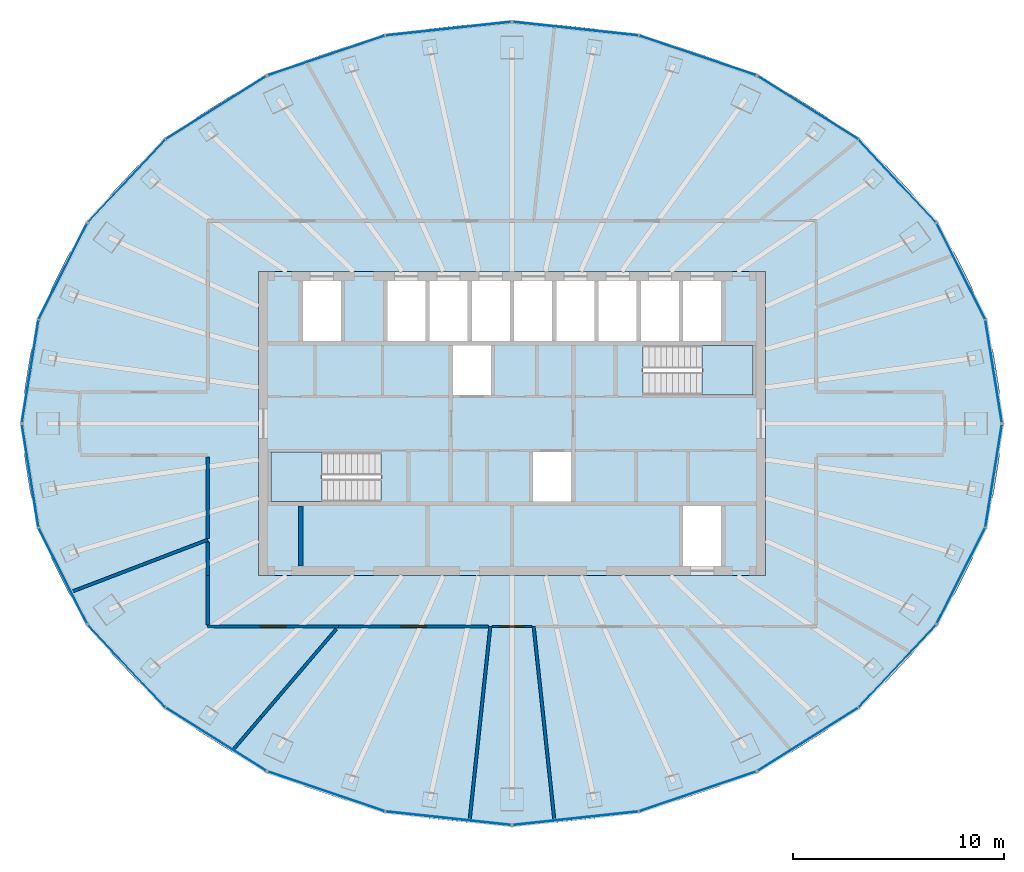
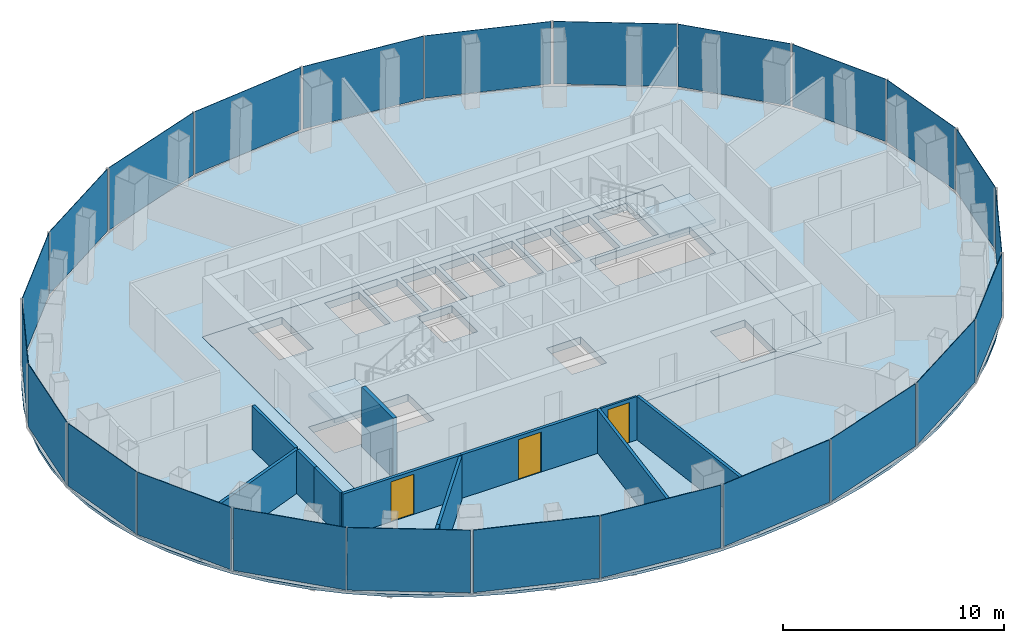
# One storey, part 7 of 11: 24 plates, 12 walls, 4 slabs, 3 doors, 3 openings, 14 elements without a shape of their own.
"""IFC4 building model written with IfcOpenShell, lengths in metres."""

from ifc_helpers import new_model, si_unit, direction, frame, frame_2d, origin, origin_2d, place, context, subcontext, project, spatial, polyline, rectangle, outline, extrude, material, layer, layer_set, type_object, element, fill, aggregate, save


model = new_model("IFC4")

# Units and contexts
model_context = context("Model", 3, precision=1e-05, world=origin(), true_north=direction((0.0, 1.0)))
body_context = subcontext(model_context, "Body", "Model", "MODEL_VIEW")
ifc_project = project(units=[si_unit("LENGTHUNIT", "METRE"), si_unit("AREAUNIT", "SQUARE_METRE"), si_unit("VOLUMEUNIT", "CUBIC_METRE"), si_unit("PLANEANGLEUNIT", "RADIAN"), si_unit("MASSUNIT", "GRAM", prefix="KILO")], contexts=[model_context])

# Site, building, storey
site_placement = place(None, origin())
site = spatial("IfcSite", under=ifc_project, at=site_placement, CompositionType="ELEMENT")
building_placement = place(site_placement, origin())
building = spatial("IfcBuilding", under=site, at=building_placement, Name="Siaravel Broadcast Tower", CompositionType="ELEMENT")
storey_placement = place(building_placement, frame((0.0, 0.0, 186.699951171875)))
storey = spatial("IfcBuildingStorey", under=building, at=storey_placement, Name="L45", CompositionType="ELEMENT", Elevation=186.699951171875)

# Curtain wall, plates
ifc_material_1 = material(Name="Aluminium 6063-T6", Category="aluminium")
ifc_layer_1 = layer(ifc_material_1, 0.179931640625)
ifc_layer_set_1 = layer_set([ifc_layer_1], Name="Aluminium 6063-T6")
curtain_wall_type = type_object("IfcCurtainWallType", Name="Unitised curtain wall, zone 3", PredefinedType="NOTDEFINED", material=ifc_layer_set_1)
curtain_wall_1_placement = place(storey_placement, origin())
curtain_wall_1 = element("IfcCurtainWall", 1, at=curtain_wall_1_placement, inside=storey, type_object=curtain_wall_type, Name="L45 Unitised curtain wall, zone 3 01", PredefinedType="NOTDEFINED")
ifc_material_2 = material(Name="Tinted insulated glass", Category="glass")
ifc_layer_2 = layer(ifc_material_2, 0.028076171875)
ifc_layer_set_2 = layer_set([ifc_layer_2], Name="Tinted insulated glass")
plate_type = type_object("IfcPlateType", Name="CW-Z3 glass panel", PredefinedType="CURTAIN_PANEL", material=ifc_layer_set_2)
plate_1_placement = place(storey_placement, frame((22.796630859375, 2.475830078125, 0.10009765625), z_axis=(0.0, 0.0, 1.0), x_axis=(-0.158685547, 0.987329174, 0.0)))
plate_1 = element("IfcPlate", 2, at=plate_1_placement, type_object=plate_type, Name="CW-Z3 glass panel", PredefinedType="CURTAIN_PANEL", context=body_context, shape_type="SweptSolid", body=[
    extrude(rectangle(XDim=4.8955078125, YDim=0.028076171875, at=origin_2d()), origin(), (0.0, 0.0, 1.0), 3.449951171875),
])
plate_2_placement = place(storey_placement, frame((21.250732421875, 7.20166015625, 0.10009765625), z_axis=(0.0, 0.0, 1.0), x_axis=(-0.451261028, 0.892392002, 0.0)))
plate_2 = element("IfcPlate", 3, at=plate_2_placement, type_object=plate_type, Name="CW-Z3 glass panel", PredefinedType="CURTAIN_PANEL", context=body_context, shape_type="SweptSolid", body=[
    extrude(rectangle(XDim=5.048583984375, YDim=0.028076171875, at=origin_2d()), origin(), (0.0, 0.0, 1.0), 3.449951171875),
])
aggregate(curtain_wall_1, [plate_1, plate_2])

curtain_wall_2_placement = place(storey_placement, origin())
curtain_wall_2 = element("IfcCurtainWall", 4, at=curtain_wall_2_placement, inside=storey, type_object=curtain_wall_type, Name="L45 Unitised curtain wall, zone 3 02", PredefinedType="NOTDEFINED")
plate_3_placement = place(storey_placement, frame((18.230712890625, 11.48681640625, 0.10009765625), z_axis=(0.0, 0.0, 1.0), x_axis=(-0.683655351, 0.729805016, 0.0)))
plate_3 = element("IfcPlate", 5, at=plate_3_placement, type_object=plate_type, Name="CW-Z3 glass panel", PredefinedType="CURTAIN_PANEL", context=body_context, shape_type="SweptSolid", body=[
    extrude(rectangle(XDim=5.303466796875, YDim=0.028076171875, at=origin_2d()), origin(), (0.0, 0.0, 1.0), 3.449951171875),
])
plate_4_placement = place(storey_placement, frame((14.00830078125, 14.945556640625, 0.10009765625), z_axis=(0.0, 0.0, 1.0), x_axis=(-0.846650771, 0.532148919, 0.0)))
plate_4 = element("IfcPlate", 6, at=plate_4_placement, type_object=plate_type, Name="CW-Z3 glass panel", PredefinedType="CURTAIN_PANEL", context=body_context, shape_type="SweptSolid", body=[
    extrude(rectangle(XDim=5.583740234375, YDim=0.028076171875, at=origin_2d()), origin(), (0.0, 0.0, 1.0), 3.449951171875),
])
aggregate(curtain_wall_2, [plate_3, plate_4])

curtain_wall_3_placement = place(storey_placement, origin())
curtain_wall_3 = element("IfcCurtainWall", 7, at=curtain_wall_3_placement, inside=storey, type_object=curtain_wall_type, Name="L45 Unitised curtain wall, zone 3 03", PredefinedType="NOTDEFINED")
plate_5_placement = place(storey_placement, frame((8.783203125, 17.416748046875, 0.10009765625), z_axis=(0.0, 0.0, 1.0), x_axis=(-0.946977335, 0.321300369, 0.0)))
plate_5 = element("IfcPlate", 8, at=plate_5_placement, type_object=plate_type, Name="CW-Z3 glass panel", PredefinedType="CURTAIN_PANEL", context=body_context, shape_type="SweptSolid", body=[
    extrude(rectangle(XDim=5.81591796875, YDim=0.028076171875, at=origin_2d()), origin(), (0.0, 0.0, 1.0), 3.449951171875),
])
plate_6_placement = place(storey_placement, frame((3.015380859375, 18.6826171875, 0.10009765625), z_axis=(0.0, 0.0, 1.0), x_axis=(-0.994235601, 0.107217391, 0.0)))
plate_6 = element("IfcPlate", 9, at=plate_6_placement, type_object=plate_type, Name="CW-Z3 glass panel", PredefinedType="CURTAIN_PANEL", context=body_context, shape_type="SweptSolid", body=[
    extrude(rectangle(XDim=5.94580078125, YDim=0.028076171875, at=origin_2d()), origin(), (0.0, 0.0, 1.0), 3.449951171875),
])
aggregate(curtain_wall_3, [plate_5, plate_6])

curtain_wall_4_placement = place(storey_placement, origin())
curtain_wall_4 = element("IfcCurtainWall", 10, at=curtain_wall_4_placement, inside=storey, type_object=curtain_wall_type, Name="L45 Unitised curtain wall, zone 3 04", PredefinedType="NOTDEFINED")
plate_7_placement = place(storey_placement, frame((-3.015380859375, 18.6826171875, 0.10009765625), z_axis=(0.0, 0.0, 1.0), x_axis=(-0.994235601, -0.107217391, 0.0)))
plate_7 = element("IfcPlate", 11, at=plate_7_placement, type_object=plate_type, Name="CW-Z3 glass panel", PredefinedType="CURTAIN_PANEL", context=body_context, shape_type="SweptSolid", body=[
    extrude(rectangle(XDim=5.94580078125, YDim=0.028076171875, at=origin_2d()), origin(), (0.0, 0.0, 1.0), 3.449951171875),
])
plate_8_placement = place(storey_placement, frame((-8.783203125, 17.416748046875, 0.10009765625), z_axis=(0.0, 0.0, 1.0), x_axis=(-0.946977335, -0.321300369, 0.0)))
plate_8 = element("IfcPlate", 12, at=plate_8_placement, type_object=plate_type, Name="CW-Z3 glass panel", PredefinedType="CURTAIN_PANEL", context=body_context, shape_type="SweptSolid", body=[
    extrude(rectangle(XDim=5.81591796875, YDim=0.028076171875, at=origin_2d()), origin(), (0.0, 0.0, 1.0), 3.449951171875),
])
aggregate(curtain_wall_4, [plate_7, plate_8])

curtain_wall_5_placement = place(storey_placement, origin())
curtain_wall_5 = element("IfcCurtainWall", 13, at=curtain_wall_5_placement, inside=storey, type_object=curtain_wall_type, Name="L45 Unitised curtain wall, zone 3 05", PredefinedType="NOTDEFINED")
plate_9_placement = place(storey_placement, frame((-14.00830078125, 14.945556640625, 0.10009765625), z_axis=(0.0, 0.0, 1.0), x_axis=(-0.846650771, -0.532148919, 0.0)))
plate_9 = element("IfcPlate", 14, at=plate_9_placement, type_object=plate_type, Name="CW-Z3 glass panel", PredefinedType="CURTAIN_PANEL", context=body_context, shape_type="SweptSolid", body=[
    extrude(rectangle(XDim=5.583740234375, YDim=0.028076171875, at=origin_2d()), origin(), (0.0, 0.0, 1.0), 3.449951171875),
])
plate_10_placement = place(storey_placement, frame((-18.230712890625, 11.48681640625, 0.10009765625), z_axis=(0.0, 0.0, 1.0), x_axis=(-0.683655351, -0.729805016, 0.0)))
plate_10 = element("IfcPlate", 15, at=plate_10_placement, type_object=plate_type, Name="CW-Z3 glass panel", PredefinedType="CURTAIN_PANEL", context=body_context, shape_type="SweptSolid", body=[
    extrude(rectangle(XDim=5.303466796875, YDim=0.028076171875, at=origin_2d()), origin(), (0.0, 0.0, 1.0), 3.449951171875),
])
aggregate(curtain_wall_5, [plate_9, plate_10])

curtain_wall_6_placement = place(storey_placement, origin())
curtain_wall_6 = element("IfcCurtainWall", 16, at=curtain_wall_6_placement, inside=storey, type_object=curtain_wall_type, Name="L45 Unitised curtain wall, zone 3 06", PredefinedType="NOTDEFINED")
plate_11_placement = place(storey_placement, frame((-21.250732421875, 7.20166015625, 0.10009765625), z_axis=(0.0, 0.0, 1.0), x_axis=(-0.451261028, -0.892392002, 0.0)))
plate_11 = element("IfcPlate", 17, at=plate_11_placement, type_object=plate_type, Name="CW-Z3 glass panel", PredefinedType="CURTAIN_PANEL", context=body_context, shape_type="SweptSolid", body=[
    extrude(rectangle(XDim=5.048583984375, YDim=0.028076171875, at=origin_2d()), origin(), (0.0, 0.0, 1.0), 3.449951171875),
])
plate_12_placement = place(storey_placement, frame((-22.796630859375, 2.475830078125, 0.10009765625), z_axis=(0.0, 0.0, 1.0), x_axis=(-0.158685547, -0.987329174, 0.0)))
plate_12 = element("IfcPlate", 18, at=plate_12_placement, type_object=plate_type, Name="CW-Z3 glass panel", PredefinedType="CURTAIN_PANEL", context=body_context, shape_type="SweptSolid", body=[
    extrude(rectangle(XDim=4.8955078125, YDim=0.028076171875, at=origin_2d()), origin(), (0.0, 0.0, 1.0), 3.449951171875),
])
aggregate(curtain_wall_6, [plate_11, plate_12])

curtain_wall_7_placement = place(storey_placement, origin())
curtain_wall_7 = element("IfcCurtainWall", 19, at=curtain_wall_7_placement, inside=storey, type_object=curtain_wall_type, Name="L45 Unitised curtain wall, zone 3 07", PredefinedType="NOTDEFINED")
plate_13_placement = place(storey_placement, frame((-22.796630859375, -2.475830078125, 0.10009765625), z_axis=(0.0, 0.0, 1.0), x_axis=(0.158685547, -0.987329174, 0.0)))
plate_13 = element("IfcPlate", 20, at=plate_13_placement, type_object=plate_type, Name="CW-Z3 glass panel", PredefinedType="CURTAIN_PANEL", context=body_context, shape_type="SweptSolid", body=[
    extrude(rectangle(XDim=4.8955078125, YDim=0.028076171875, at=origin_2d()), origin(), (0.0, 0.0, 1.0), 3.449951171875),
])
plate_14_placement = place(storey_placement, frame((-21.250732421875, -7.20166015625, 0.10009765625), z_axis=(0.0, 0.0, 1.0), x_axis=(0.451261028, -0.892392002, 0.0)))
plate_14 = element("IfcPlate", 21, at=plate_14_placement, type_object=plate_type, Name="CW-Z3 glass panel", PredefinedType="CURTAIN_PANEL", context=body_context, shape_type="SweptSolid", body=[
    extrude(rectangle(XDim=5.048583984375, YDim=0.028076171875, at=origin_2d()), origin(), (0.0, 0.0, 1.0), 3.449951171875),
])
aggregate(curtain_wall_7, [plate_13, plate_14])

curtain_wall_8_placement = place(storey_placement, origin())
curtain_wall_8 = element("IfcCurtainWall", 22, at=curtain_wall_8_placement, inside=storey, type_object=curtain_wall_type, Name="L45 Unitised curtain wall, zone 3 08", PredefinedType="NOTDEFINED")
plate_15_placement = place(storey_placement, frame((-18.230712890625, -11.48681640625, 0.10009765625), z_axis=(0.0, 0.0, 1.0), x_axis=(0.683655351, -0.729805016, 0.0)))
plate_15 = element("IfcPlate", 23, at=plate_15_placement, type_object=plate_type, Name="CW-Z3 glass panel", PredefinedType="CURTAIN_PANEL", context=body_context, shape_type="SweptSolid", body=[
    extrude(rectangle(XDim=5.303466796875, YDim=0.028076171875, at=origin_2d()), origin(), (0.0, 0.0, 1.0), 3.449951171875),
])
plate_16_placement = place(storey_placement, frame((-14.00830078125, -14.945556640625, 0.10009765625), z_axis=(0.0, 0.0, 1.0), x_axis=(0.846650771, -0.532148919, 0.0)))
plate_16 = element("IfcPlate", 24, at=plate_16_placement, type_object=plate_type, Name="CW-Z3 glass panel", PredefinedType="CURTAIN_PANEL", context=body_context, shape_type="SweptSolid", body=[
    extrude(rectangle(XDim=5.583740234375, YDim=0.028076171875, at=origin_2d()), origin(), (0.0, 0.0, 1.0), 3.449951171875),
])
aggregate(curtain_wall_8, [plate_15, plate_16])

curtain_wall_9_placement = place(storey_placement, origin())
curtain_wall_9 = element("IfcCurtainWall", 25, at=curtain_wall_9_placement, inside=storey, type_object=curtain_wall_type, Name="L45 Unitised curtain wall, zone 3 09", PredefinedType="NOTDEFINED")
plate_17_placement = place(storey_placement, frame((-8.783203125, -17.416748046875, 0.10009765625), z_axis=(0.0, 0.0, 1.0), x_axis=(0.946977335, -0.321300369, 0.0)))
plate_17 = element("IfcPlate", 26, at=plate_17_placement, type_object=plate_type, Name="CW-Z3 glass panel", PredefinedType="CURTAIN_PANEL", context=body_context, shape_type="SweptSolid", body=[
    extrude(rectangle(XDim=5.81591796875, YDim=0.028076171875, at=origin_2d()), origin(), (0.0, 0.0, 1.0), 3.449951171875),
])
plate_18_placement = place(storey_placement, frame((-3.015380859375, -18.6826171875, 0.10009765625), z_axis=(0.0, 0.0, 1.0), x_axis=(0.994235601, -0.107217391, 0.0)))
plate_18 = element("IfcPlate", 27, at=plate_18_placement, type_object=plate_type, Name="CW-Z3 glass panel", PredefinedType="CURTAIN_PANEL", context=body_context, shape_type="SweptSolid", body=[
    extrude(rectangle(XDim=5.94580078125, YDim=0.028076171875, at=origin_2d()), origin(), (0.0, 0.0, 1.0), 3.449951171875),
])
aggregate(curtain_wall_9, [plate_17, plate_18])

curtain_wall_10_placement = place(storey_placement, origin())
curtain_wall_10 = element("IfcCurtainWall", 28, at=curtain_wall_10_placement, inside=storey, type_object=curtain_wall_type, Name="L45 Unitised curtain wall, zone 3 10", PredefinedType="NOTDEFINED")
plate_19_placement = place(storey_placement, frame((3.015380859375, -18.6826171875, 0.10009765625), z_axis=(0.0, 0.0, 1.0), x_axis=(0.994235601, 0.107217391, 0.0)))
plate_19 = element("IfcPlate", 29, at=plate_19_placement, type_object=plate_type, Name="CW-Z3 glass panel", PredefinedType="CURTAIN_PANEL", context=body_context, shape_type="SweptSolid", body=[
    extrude(rectangle(XDim=5.94580078125, YDim=0.028076171875, at=origin_2d()), origin(), (0.0, 0.0, 1.0), 3.449951171875),
])
plate_20_placement = place(storey_placement, frame((8.783203125, -17.416748046875, 0.10009765625), z_axis=(0.0, 0.0, 1.0), x_axis=(0.946977335, 0.321300369, 0.0)))
plate_20 = element("IfcPlate", 30, at=plate_20_placement, type_object=plate_type, Name="CW-Z3 glass panel", PredefinedType="CURTAIN_PANEL", context=body_context, shape_type="SweptSolid", body=[
    extrude(rectangle(XDim=5.81591796875, YDim=0.028076171875, at=origin_2d()), origin(), (0.0, 0.0, 1.0), 3.449951171875),
])
aggregate(curtain_wall_10, [plate_19, plate_20])

curtain_wall_11_placement = place(storey_placement, origin())
curtain_wall_11 = element("IfcCurtainWall", 31, at=curtain_wall_11_placement, inside=storey, type_object=curtain_wall_type, Name="L45 Unitised curtain wall, zone 3 11", PredefinedType="NOTDEFINED")
plate_21_placement = place(storey_placement, frame((14.00830078125, -14.945556640625, 0.10009765625), z_axis=(0.0, 0.0, 1.0), x_axis=(0.846650771, 0.532148919, 0.0)))
plate_21 = element("IfcPlate", 32, at=plate_21_placement, type_object=plate_type, Name="CW-Z3 glass panel", PredefinedType="CURTAIN_PANEL", context=body_context, shape_type="SweptSolid", body=[
    extrude(rectangle(XDim=5.583740234375, YDim=0.028076171875, at=origin_2d()), origin(), (0.0, 0.0, 1.0), 3.449951171875),
])
plate_22_placement = place(storey_placement, frame((18.230712890625, -11.48681640625, 0.10009765625), z_axis=(0.0, 0.0, 1.0), x_axis=(0.683655351, 0.729805016, 0.0)))
plate_22 = element("IfcPlate", 33, at=plate_22_placement, type_object=plate_type, Name="CW-Z3 glass panel", PredefinedType="CURTAIN_PANEL", context=body_context, shape_type="SweptSolid", body=[
    extrude(rectangle(XDim=5.303466796875, YDim=0.028076171875, at=origin_2d()), origin(), (0.0, 0.0, 1.0), 3.449951171875),
])
aggregate(curtain_wall_11, [plate_21, plate_22])

curtain_wall_12_placement = place(storey_placement, origin())
curtain_wall_12 = element("IfcCurtainWall", 34, at=curtain_wall_12_placement, inside=storey, type_object=curtain_wall_type, Name="L45 Unitised curtain wall, zone 3 12", PredefinedType="NOTDEFINED")
plate_23_placement = place(storey_placement, frame((21.250732421875, -7.20166015625, 0.10009765625), z_axis=(0.0, 0.0, 1.0), x_axis=(0.451261028, 0.892392002, 0.0)))
plate_23 = element("IfcPlate", 35, at=plate_23_placement, type_object=plate_type, Name="CW-Z3 glass panel", PredefinedType="CURTAIN_PANEL", context=body_context, shape_type="SweptSolid", body=[
    extrude(rectangle(XDim=5.048583984375, YDim=0.028076171875, at=origin_2d()), origin(), (0.0, 0.0, 1.0), 3.449951171875),
])
plate_24_placement = place(storey_placement, frame((22.796630859375, -2.475830078125, 0.10009765625), z_axis=(0.0, 0.0, 1.0), x_axis=(0.158685547, 0.987329174, 0.0)))
plate_24 = element("IfcPlate", 36, at=plate_24_placement, type_object=plate_type, Name="CW-Z3 glass panel", PredefinedType="CURTAIN_PANEL", context=body_context, shape_type="SweptSolid", body=[
    extrude(rectangle(XDim=4.8955078125, YDim=0.028076171875, at=origin_2d()), origin(), (0.0, 0.0, 1.0), 3.449951171875),
])
aggregate(curtain_wall_12, [plate_23, plate_24])

# Slabs
ifc_material_3 = material(Name="Concrete C40/50", Category="concrete")
ifc_layer_3 = layer(ifc_material_3, 0.39990234375)
ifc_layer_set_3 = layer_set([ifc_layer_3], Name="Concrete C40/50")
slab_type_1 = type_object("IfcSlabType", Name="Core floor slab 400", PredefinedType="FLOOR", material=ifc_layer_set_3)
slab_1_placement = place(storey_placement, frame((0.0, 0.0, -0.39990234375)))
element("IfcSlab", 37, at=slab_1_placement, inside=storey, type_object=slab_type_1, Name="L45 core floor", PredefinedType="FLOOR", context=body_context, shape_type="SweptSolid", body=[
    extrude(outline(polyline([(-12.0, -7.199951171875), (-12.0, 7.199951171875), (12.0, 7.199951171875), (12.0, -7.199951171875), (-12.0, -7.199951171875)]), holes=[polyline([(11.3994140625, 1.3505859375), (11.3994140625, 3.699462890625), (6.200439453125, 3.699462890625), (6.200439453125, 1.3505859375), (11.3994140625, 1.3505859375)]), polyline([(8.10009765625, -3.89990234375), (8.10009765625, -6.75), (9.89990234375, -6.75), (9.89990234375, -3.89990234375), (8.10009765625, -3.89990234375)]), polyline([(9.89990234375, 6.75), (8.10009765625, 6.75), (8.10009765625, 3.89990234375), (9.89990234375, 3.89990234375), (9.89990234375, 6.75)]), polyline([(7.89990234375, 6.75), (6.10009765625, 6.75), (6.10009765625, 3.89990234375), (7.89990234375, 3.89990234375), (7.89990234375, 6.75)]), polyline([(5.89990234375, 6.75), (4.10009765625, 6.75), (4.10009765625, 3.89990234375), (5.89990234375, 3.89990234375), (5.89990234375, 6.75)]), polyline([(3.89990234375, 6.75), (2.10009765625, 6.75), (2.10009765625, 3.89990234375), (3.89990234375, 3.89990234375), (3.89990234375, 6.75)]), polyline([(2.800048828125, -1.35009765625), (1.0, -1.35009765625), (1.0, -3.699951171875), (2.800048828125, -3.699951171875), (2.800048828125, -1.35009765625)]), polyline([(1.89990234375, 6.75), (0.10009765625, 6.75), (0.10009765625, 3.89990234375), (1.89990234375, 3.89990234375), (1.89990234375, 6.75)]), polyline([(-0.10009765625, 6.75), (-1.89990234375, 6.75), (-1.89990234375, 3.89990234375), (-0.10009765625, 3.89990234375), (-0.10009765625, 6.75)]), polyline([(-1.0, 3.699951171875), (-2.800048828125, 3.699951171875), (-2.800048828125, 1.35009765625), (-1.0, 1.35009765625), (-1.0, 3.699951171875)]), polyline([(-2.10009765625, 6.75), (-3.89990234375, 6.75), (-3.89990234375, 3.89990234375), (-2.10009765625, 3.89990234375), (-2.10009765625, 6.75)]), polyline([(-4.10009765625, 6.75), (-5.89990234375, 6.75), (-5.89990234375, 3.89990234375), (-4.10009765625, 3.89990234375), (-4.10009765625, 6.75)]), polyline([(-11.3994140625, -3.699462890625), (-6.200439453125, -3.699462890625), (-6.200439453125, -1.3505859375), (-11.3994140625, -1.3505859375), (-11.3994140625, -3.699462890625)]), polyline([(-8.10009765625, 6.75), (-9.89990234375, 6.75), (-9.89990234375, 3.89990234375), (-8.10009765625, 3.89990234375), (-8.10009765625, 6.75)])]), origin(), (0.0, 0.0, 1.0), 0.39990234375),
])
ifc_layer_4 = layer(ifc_material_3, 0.14990234375)
ifc_layer_set_4 = layer_set([ifc_layer_4], Name="Concrete C40/50")
slab_type_2 = type_object("IfcSlabType", Name="SLB-FLOOR-150", PredefinedType="FLOOR", material=ifc_layer_set_4)
slab_2_placement = place(storey_placement, frame((0.0, 0.0, -0.14990234375)))
element("IfcSlab", 38, at=slab_2_placement, inside=storey, type_object=slab_type_2, Name="Floor slab", PredefinedType="FLOOR", context=body_context, shape_type="SweptSolid", body=[
    extrude(outline(polyline([(23.14453125, 0.0), (23.056396484375, 1.65234375), (22.79296875, 3.2919921875), (22.35595703125, 4.90673828125), (21.748779296875, 6.48388671875), (20.97607421875, 8.011962890625), (20.043701171875, 9.47900390625), (18.958984375, 10.873779296875), (17.729736328125, 12.185791015625), (16.365478515625, 13.4052734375), (14.876953125, 14.522705078125), (13.275146484375, 15.529296875), (11.572265625, 16.41796875), (9.78125, 17.181640625), (7.916015625, 17.814697265625), (5.990234375, 18.31201171875), (4.01904296875, 18.669921875), (2.01708984375, 18.8857421875), (0.0, 18.9580078125), (-2.01708984375, 18.8857421875), (-4.01904296875, 18.669921875), (-5.990234375, 18.31201171875), (-7.916015625, 17.814697265625), (-9.78125, 17.181640625), (-11.572265625, 16.41796875), (-13.275146484375, 15.529296875), (-14.876953125, 14.522705078125), (-16.365478515625, 13.4052734375), (-17.729736328125, 12.185791015625), (-18.958984375, 10.873779296875), (-20.043701171875, 9.47900390625), (-20.97607421875, 8.011962890625), (-21.748779296875, 6.48388671875), (-22.35595703125, 4.90673828125), (-22.79296875, 3.2919921875), (-23.056396484375, 1.65234375), (-23.14453125, 0.0), (-23.056396484375, -1.65234375), (-22.79296875, -3.2919921875), (-22.35595703125, -4.90673828125), (-21.748779296875, -6.48388671875), (-20.97607421875, -8.011962890625), (-20.043701171875, -9.47900390625), (-18.958984375, -10.873779296875), (-17.729736328125, -12.185791015625), (-16.365478515625, -13.4052734375), (-14.876953125, -14.522705078125), (-13.275146484375, -15.529296875), (-11.572265625, -16.41796875), (-9.78125, -17.181640625), (-7.916015625, -17.814697265625), (-5.990234375, -18.31201171875), (-4.01904296875, -18.669921875), (-2.01708984375, -18.8857421875), (0.0, -18.9580078125), (2.01708984375, -18.8857421875), (4.01904296875, -18.669921875), (5.990234375, -18.31201171875), (7.916015625, -17.814697265625), (9.78125, -17.181640625), (11.572265625, -16.41796875), (13.275146484375, -15.529296875), (14.876953125, -14.522705078125), (16.365478515625, -13.4052734375), (17.729736328125, -12.185791015625), (18.958984375, -10.873779296875), (20.043701171875, -9.47900390625), (20.97607421875, -8.011962890625), (21.748779296875, -6.48388671875), (22.35595703125, -4.90673828125), (22.79296875, -3.2919921875), (23.056396484375, -1.65234375), (23.14453125, 0.0)]), holes=[polyline([(-12.0, 7.199951171875), (12.0, 7.199951171875), (12.0, -7.199951171875), (-12.0, -7.199951171875), (-12.0, 7.199951171875)])]), origin(), (0.0, 0.0, 1.0), 0.14990234375),
])

# Stair, slab
stair_type = type_object("IfcStairType", Name="Core exit stair", PredefinedType="HALF_TURN_STAIR", material=ifc_material_3)
stair_1_placement = place(storey_placement, origin())
stair_1 = element("IfcStair", 39, at=stair_1_placement, inside=storey, type_object=stair_type, Name="L45 Exit stair ST-1", PredefinedType="HALF_TURN_STAIR")
ifc_layer_5 = layer(ifc_material_3, 0.199951171875)
ifc_layer_set_5 = layer_set([ifc_layer_5], Name="Concrete C40/50")
slab_type_3 = type_object("IfcSlabType", Name="Stair landing", PredefinedType="LANDING", material=ifc_layer_set_5)
slab_3_placement = place(storey_placement, frame((0.0, 0.0, 1.650146484375)))
slab_3 = element("IfcSlab", 40, at=slab_3_placement, type_object=slab_type_3, Name="ST-1 landing 1", PredefinedType="LANDING", context=body_context, shape_type="SweptSolid", body=[
    extrude(outline(polyline([(-9.0, -1.35009765625), (-11.39990234375, -1.35009765625), (-11.39990234375, -3.699951171875), (-9.0, -3.699951171875), (-9.0, -1.35009765625)])), origin(), (0.0, 0.0, 1.0), 0.199951171875),
])
aggregate(stair_1, [slab_3])

stair_2_placement = place(storey_placement, origin())
stair_2 = element("IfcStair", 41, at=stair_2_placement, inside=storey, type_object=stair_type, Name="L45 Exit stair ST-2", PredefinedType="HALF_TURN_STAIR")
slab_4_placement = place(storey_placement, frame((0.0, 0.0, 1.650146484375)))
slab_4 = element("IfcSlab", 42, at=slab_4_placement, type_object=slab_type_3, Name="ST-2 landing 1", PredefinedType="LANDING", context=body_context, shape_type="SweptSolid", body=[
    extrude(outline(polyline([(9.0, 1.35009765625), (11.39990234375, 1.35009765625), (11.39990234375, 3.699951171875), (9.0, 3.699951171875), (9.0, 1.35009765625)])), origin(), (0.0, 0.0, 1.0), 0.199951171875),
])
aggregate(stair_2, [slab_4])

# Wall, opening, door
ifc_material_4 = material(Name="Gypsum board partition", Category="gypsum")
ifc_layer_6 = layer(ifc_material_4, 0.14990234375)
ifc_layer_set_6 = layer_set([ifc_layer_6], Name="Gypsum board partition")
wall_type_1 = type_object("IfcWallType", Name="Corridor wall 150", PredefinedType="PARTITIONING", material=ifc_layer_set_6)
wall_1_placement = place(storey_placement, frame((-8.206298828125, -9.60009765625, 0.0), z_axis=(0.0, 0.0, 1.0), x_axis=(1.0, 0.0, 0.0)))
wall_1 = element("IfcWall", 43, at=wall_1_placement, inside=storey, type_object=wall_type_1, Name="L45 partition 8", PredefinedType="PARTITIONING", context=body_context, shape_type="SweptSolid", body=[
    extrude(rectangle(XDim=7.095458984375, YDim=0.14990234375, at=frame_2d((3.5478515625, 0.0))), origin(), (0.0, 0.0, 1.0), 2.400146484375),
])
opening_1_placement = place(wall_1_placement, frame((2.94775390625, 0.0, 0.0)))
opening_1 = element("IfcOpeningElement", 44, at=opening_1_placement, cuts=wall_1, Name="Opening L45-012", PredefinedType="OPENING", context=body_context, shape_type="SweptSolid", body=[
    extrude(rectangle(XDim=1.199951171875, YDim=2.199951171875, at=frame_2d((0.60009765625, 1.10009765625))), frame((0.0, 0.0849609375, 0.0), z_axis=(0.0, -1.0, 0.0), x_axis=(1.0, 0.0, 0.0)), (0.0, 0.0, 1.0), 0.169921875),
])
ifc_material_5 = material(Name="Timber veneer", Category="wood")
door_type_1 = type_object("IfcDoorType", Name="Office double door 1200", OperationType="DOUBLE_DOOR_SINGLE_SWING", PredefinedType="DOOR", material=ifc_material_5)
door_1_placement = place(opening_1_placement, origin())
door_1 = element("IfcDoor", 45, at=door_1_placement, inside=storey, type_object=door_type_1, Name="L45 door to Open plan office", OperationType="DOUBLE_DOOR_SINGLE_SWING", OverallHeight=2.199951171875, OverallWidth=1.199951171875, PredefinedType="DOOR", context=body_context, shape_type="SweptSolid", body=[
    extrude(rectangle(XDim=1.199951171875, YDim=2.199951171875, at=frame_2d((0.60009765625, 1.10009765625))), frame((0.0, 0.02490234375, 0.0), z_axis=(0.0, -1.0, 0.0), x_axis=(1.0, 0.0, 0.0)), (0.0, 0.0, 1.0), 0.050048828125),
])
fill(opening_1, door_1)

wall_2_placement = place(storey_placement, frame((-14.39990234375, -9.60009765625, 0.0), z_axis=(0.0, 0.0, 1.0), x_axis=(1.0, 0.0, 0.0)))
wall_2 = element("IfcWall", 46, at=wall_2_placement, inside=storey, type_object=wall_type_1, Name="L45 partition 13", PredefinedType="PARTITIONING", context=body_context, shape_type="SweptSolid", body=[
    extrude(rectangle(XDim=6.1923828125, YDim=0.14990234375, at=frame_2d((3.09619140625, 0.0))), origin(), (0.0, 0.0, 1.0), 2.400146484375),
])
opening_2_placement = place(wall_2_placement, frame((2.496337890625, 0.0, 0.0)))
opening_2 = element("IfcOpeningElement", 47, at=opening_2_placement, cuts=wall_2, Name="Opening L45-011", PredefinedType="OPENING", context=body_context, shape_type="SweptSolid", body=[
    extrude(rectangle(XDim=1.199951171875, YDim=2.199951171875, at=frame_2d((0.60009765625, 1.10009765625))), frame((0.0, 0.0849609375, 0.0), z_axis=(0.0, -1.0, 0.0), x_axis=(1.0, 0.0, 0.0)), (0.0, 0.0, 1.0), 0.169921875),
])
door_2_placement = place(opening_2_placement, origin())
door_2 = element("IfcDoor", 48, at=door_2_placement, inside=storey, type_object=door_type_1, Name="L45 door to Open plan office", OperationType="DOUBLE_DOOR_SINGLE_SWING", OverallHeight=2.199951171875, OverallWidth=1.199951171875, PredefinedType="DOOR", context=body_context, shape_type="SweptSolid", body=[
    extrude(rectangle(XDim=1.199951171875, YDim=2.199951171875, at=frame_2d((0.60009765625, 1.10009765625))), frame((0.0, 0.02490234375, 0.0), z_axis=(0.0, -1.0, 0.0), x_axis=(1.0, 0.0, 0.0)), (0.0, 0.0, 1.0), 0.050048828125),
])
fill(opening_2, door_2)

# Walls
wall_3_placement = place(storey_placement, frame((-14.39990234375, -1.576904296875, 0.0), z_axis=(0.0, 0.0, 1.0), x_axis=(0.0, -1.0, 0.0)))
element("IfcWall", 49, at=wall_3_placement, inside=storey, type_object=wall_type_1, Name="L45 partition 24", PredefinedType="PARTITIONING", context=body_context, shape_type="SweptSolid", body=[
    extrude(rectangle(XDim=3.851318359375, YDim=0.14990234375, at=frame_2d((1.92578125, 0.0))), origin(), (0.0, 0.0, 1.0), 2.400146484375),
])
wall_4_placement = place(storey_placement, frame((-14.39990234375, -7.18798828125, 0.0), z_axis=(0.0, 0.0, 1.0), x_axis=(0.0, -1.0, 0.0)))
element("IfcWall", 50, at=wall_4_placement, inside=storey, type_object=wall_type_1, Name="L45 partition 28", PredefinedType="PARTITIONING", context=body_context, shape_type="SweptSolid", body=[
    extrude(rectangle(XDim=2.3349609375, YDim=0.14990234375, at=frame_2d((1.16748046875, 0.0))), origin(), (0.0, 0.0, 1.0), 2.400146484375),
])
wall_5_placement = place(storey_placement, frame((-14.39990234375, -5.611083984375, 0.0), z_axis=(0.0, 0.0, 1.0), x_axis=(0.0, -1.0, 0.0)))
element("IfcWall", 51, at=wall_5_placement, inside=storey, type_object=wall_type_1, Name="L45 partition 33", PredefinedType="PARTITIONING", context=body_context, shape_type="SweptSolid", body=[
    extrude(rectangle(XDim=1.575927734375, YDim=0.14990234375, at=frame_2d((0.7880859375, 0.0))), origin(), (0.0, 0.0, 1.0), 2.400146484375),
])

# Wall, opening, door
ifc_material_6 = material(Name="Glazed aluminium partition", Category="aluminium")
ifc_layer_7 = layer(ifc_material_6, 0.10009765625)
ifc_layer_set_7 = layer_set([ifc_layer_7], Name="Glazed aluminium partition")
wall_type_2 = type_object("IfcWallType", Name="Glazed meeting room partition 100", PredefinedType="PARTITIONING", material=ifc_layer_set_7)
wall_6_placement = place(storey_placement, frame((-0.94873046875, -9.60009765625, 0.0), z_axis=(0.0, 0.0, 1.0), x_axis=(1.0, 0.0, 0.0)))
wall_6 = element("IfcWall", 52, at=wall_6_placement, inside=storey, type_object=wall_type_2, Name="L45 partition 31", PredefinedType="PARTITIONING", context=body_context, shape_type="SweptSolid", body=[
    extrude(rectangle(XDim=1.8974609375, YDim=0.10009765625, at=frame_2d((0.94873046875, 0.0))), origin(), (0.0, 0.0, 1.0), 2.400146484375),
])
opening_3_placement = place(wall_6_placement, frame((0.398681640625, 0.0, 0.0)))
opening_3 = element("IfcOpeningElement", 53, at=opening_3_placement, cuts=wall_6, Name="Opening L45-013", PredefinedType="OPENING", context=body_context, shape_type="SweptSolid", body=[
    extrude(rectangle(XDim=1.10009765625, YDim=2.199951171875, at=frame_2d((0.550048828125, 1.10009765625))), frame((0.0, 0.06005859375, 0.0), z_axis=(0.0, -1.0, 0.0), x_axis=(1.0, 0.0, 0.0)), (0.0, 0.0, 1.0), 0.1201171875),
])
door_type_2 = type_object("IfcDoorType", Name="Meeting room door 1100", OperationType="SINGLE_SWING_LEFT", PredefinedType="DOOR", material=ifc_material_5)
door_3_placement = place(opening_3_placement, origin())
door_3 = element("IfcDoor", 54, at=door_3_placement, inside=storey, type_object=door_type_2, Name="L45 door to Meeting room", OperationType="SINGLE_SWING_LEFT", OverallHeight=2.199951171875, OverallWidth=1.10009765625, PredefinedType="DOOR", context=body_context, shape_type="SweptSolid", body=[
    extrude(rectangle(XDim=1.10009765625, YDim=2.199951171875, at=frame_2d((0.550048828125, 1.10009765625))), frame((0.0, 0.02490234375, 0.0), z_axis=(0.0, -1.0, 0.0), x_axis=(1.0, 0.0, 0.0)), (0.0, 0.0, 1.0), 0.050048828125),
])
fill(opening_3, door_3)

# Walls
ifc_layer_8 = layer(ifc_material_4, 0.14990234375)
ifc_layer_set_8 = layer_set([ifc_layer_8], Name="Gypsum board partition")
wall_type_3 = type_object("IfcWallType", Name="Room partition 150", PredefinedType="PARTITIONING", material=ifc_layer_set_8)
for number, where, z_axis, x_axis, name in (
    (55, (-2.00439453125, -18.76611328125, 0.0), (0.0, 0.0, 1.0), (0.106203945, 0.994344368, 0.0), "L45 partition 2"),
    (56, (1.025390625, -9.60009765625, 0.0), (0.0, 0.0, 1.0), (0.106203945, -0.994344368, 0.0), "L45 partition 3"),
):
    element("IfcWall", number, at=place(storey_placement, frame(where, z_axis=z_axis, x_axis=x_axis)), inside=storey, type_object=wall_type_3, Name=name, PredefinedType="PARTITIONING", context=body_context, shape_type="SweptSolid", body=[
        extrude(rectangle(XDim=9.21826171875, YDim=0.14990234375, at=frame_2d((4.609130859375, 0.0))), origin(), (0.0, 0.0, 1.0), 2.400146484375),
    ])
wall_7_placement = place(storey_placement, frame((-20.86181640625, -7.968505859375, 0.0), z_axis=(0.0, 0.0, 1.0), x_axis=(0.934170905, 0.356825897, 0.0)))
element("IfcWall", 57, at=wall_7_placement, inside=storey, type_object=wall_type_3, Name="L45 partition 10", PredefinedType="PARTITIONING", context=body_context, shape_type="SweptSolid", body=[
    extrude(rectangle(XDim=6.917236328125, YDim=0.14990234375, at=frame_2d((3.45849609375, 0.0))), origin(), (0.0, 0.0, 1.0), 2.400146484375),
])
wall_8_placement = place(storey_placement, frame((-11.864990234375, -13.879638671875, 0.0), z_axis=(0.0, 0.0, 1.0), x_axis=(0.649808623, 0.760097858, 0.0)))
element("IfcWall", 58, at=wall_8_placement, inside=storey, type_object=wall_type_3, Name="L45 partition 22", PredefinedType="PARTITIONING", context=body_context, shape_type="SweptSolid", body=[
    extrude(rectangle(XDim=5.465576171875, YDim=0.14990234375, at=frame_2d((2.73291015625, 0.0))), origin(), (0.0, 0.0, 1.0), 2.400146484375),
])
wall_9_placement = place(storey_placement, frame((-13.195068359375, -15.435791015625, 0.0), z_axis=(0.0, 0.0, 1.0), x_axis=(0.649827851, 0.760081419, 0.0)))
element("IfcWall", 59, at=wall_9_placement, inside=storey, type_object=wall_type_3, Name="L45 partition 32", PredefinedType="PARTITIONING", context=body_context, shape_type="SweptSolid", body=[
    extrude(rectangle(XDim=2.046142578125, YDim=0.14990234375, at=frame_2d((1.02294921875, 0.0))), origin(), (0.0, 0.0, 1.0), 2.400146484375),
])
ifc_material_7 = material(Name="Concrete C60/75", Category="concrete")
ifc_layer_9 = layer(ifc_material_7, 0.199951171875)
ifc_layer_set_9 = layer_set([ifc_layer_9], Name="Concrete C60/75")
wall_type_4 = type_object("IfcWallType", Name="Shaft wall 200", PredefinedType="SHEAR", material=ifc_layer_set_9)
wall_10_placement = place(storey_placement, frame((-10.0, -6.75, 0.0), z_axis=(0.0, 0.0, 1.0), x_axis=(0.0, 1.0, 0.0)))
element("IfcWall", 60, at=wall_10_placement, inside=storey, type_object=wall_type_4, Name="L45 core wall SWS0", PredefinedType="SHEAR", context=body_context, shape_type="SweptSolid", body=[
    extrude(rectangle(XDim=2.85009765625, YDim=0.199951171875, at=frame_2d((1.425048828125, 0.0))), origin(), (0.0, 0.0, 1.0), 3.300048828125),
])

save(model, "model.ifc")
